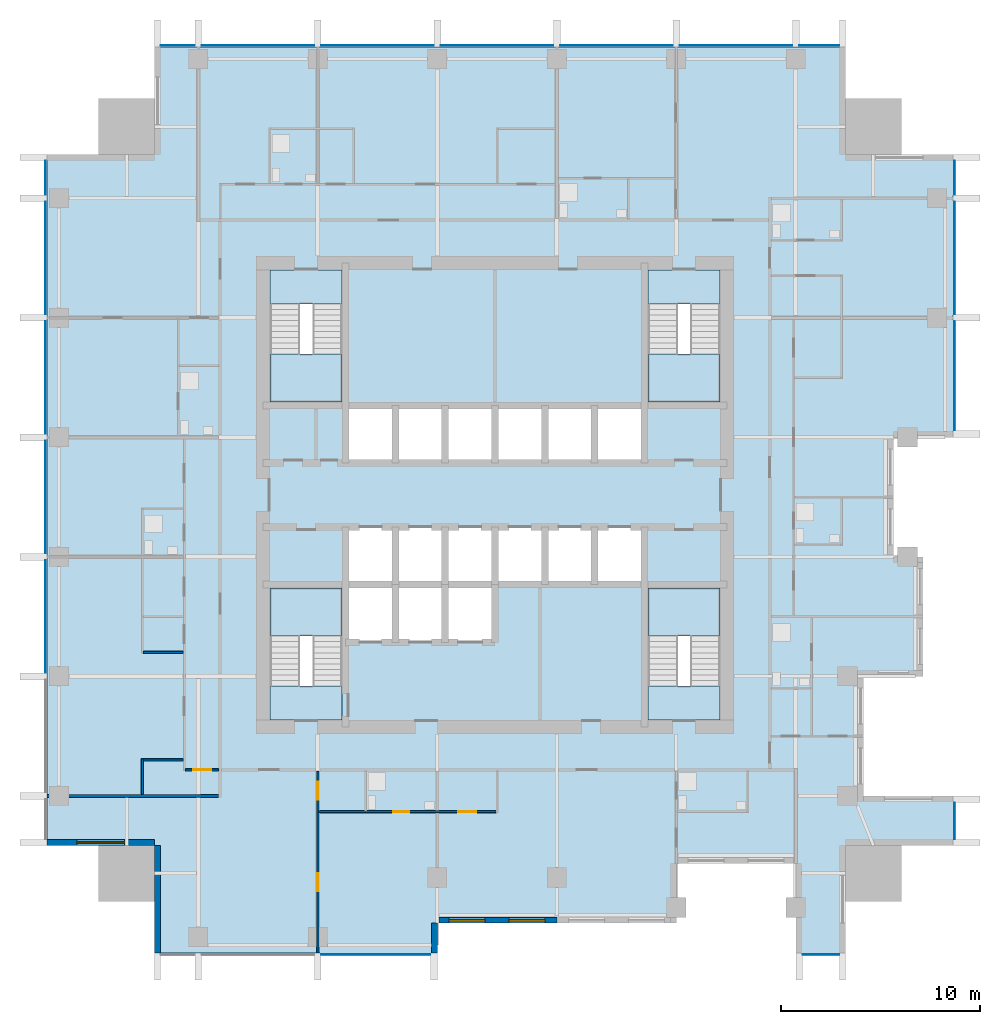
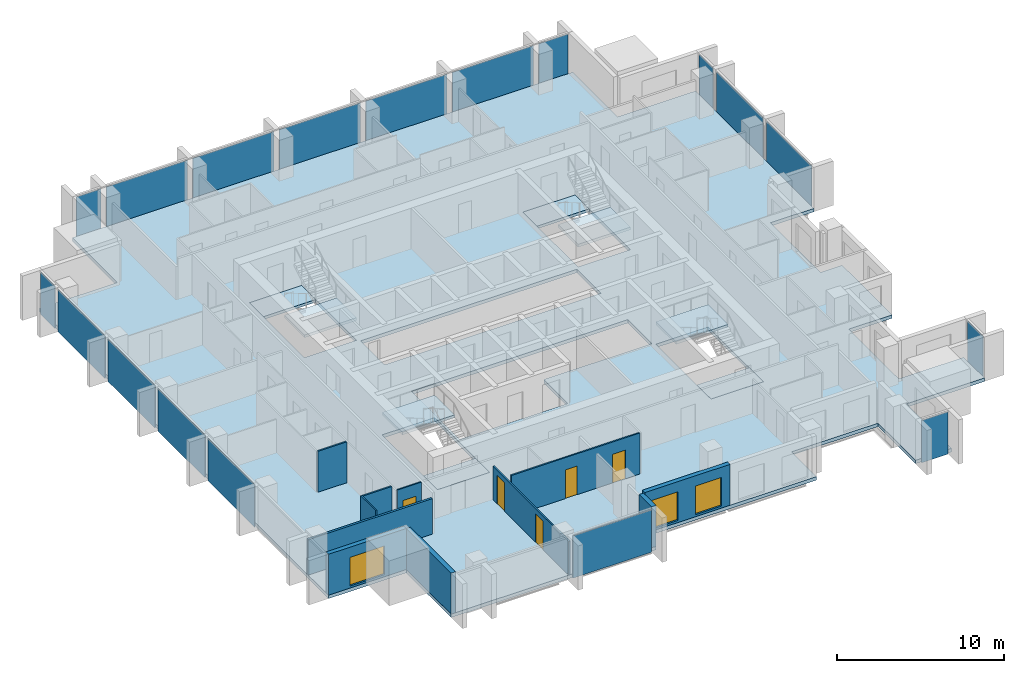
# One storey, part 3 of 10: 18 plates, 11 walls, 9 slabs, 5 doors, 3 windows, 8 openings, 10 elements without a shape of their own.
"""IFC4 building model written with IfcOpenShell, lengths in metres."""

from ifc_helpers import new_model, si_unit, direction, frame, frame_2d, origin, origin_2d, place, context, subcontext, project, spatial, polyline, rectangle, outline, extrude, material, layer, layer_set, type_object, element, fill, aggregate, save


model = new_model("IFC4")

# Units and contexts
model_context = context("Model", 3, precision=1e-05, world=origin(), true_north=direction((0.0, 1.0)))
body_context = subcontext(model_context, "Body", "Model", "MODEL_VIEW")
ifc_project = project(units=[si_unit("LENGTHUNIT", "METRE"), si_unit("AREAUNIT", "SQUARE_METRE"), si_unit("VOLUMEUNIT", "CUBIC_METRE"), si_unit("PLANEANGLEUNIT", "RADIAN"), si_unit("MASSUNIT", "GRAM", prefix="KILO")], contexts=[model_context])

# Site, building, storey
site_placement = place(None, origin())
site = spatial("IfcSite", under=ifc_project, at=site_placement, CompositionType="ELEMENT")
building_placement = place(site_placement, origin())
building = spatial("IfcBuilding", under=site, at=building_placement, Name="Amberfall Residences", CompositionType="ELEMENT")
storey_placement = place(building_placement, frame((0.0, 0.0, 147.10009765625)))
storey = spatial("IfcBuildingStorey", under=building, at=storey_placement, Name="L39", CompositionType="ELEMENT", Elevation=147.10009765625)

# Curtain wall, plate
ifc_material_1 = material(Name="Bronze anodised aluminium and glass", Category="aluminium")
curtain_wall_type = type_object("IfcCurtainWallType", Name="Curtain wall CW1 tower unit", PredefinedType="USERDEFINED", material=ifc_material_1)
curtain_wall_1_placement = place(storey_placement, origin())
curtain_wall_1 = element("IfcCurtainWall", 1, at=curtain_wall_1_placement, inside=storey, type_object=curtain_wall_type, Name="Curtain wall L39 S S1", ObjectType="UNITISED CURTAIN WALL", PredefinedType="USERDEFINED")
ifc_material_2 = material(Name="Tinted double glazed unit", Category="glass")
ifc_layer_1 = layer(ifc_material_2, 0.035888671875)
ifc_layer_set_1 = layer_set([ifc_layer_1], Name="CW1 panel 36 glazing")
plate_type = type_object("IfcPlateType", Name="CW1 panel 36 glazing", PredefinedType="CURTAIN_PANEL", material=ifc_layer_set_1)
plate_1_placement = place(storey_placement, frame((68.512451171875, 22.425048828125, -0.250244140625), z_axis=(0.0, 0.0, 1.0), x_axis=(1.0, 0.0, 0.0)))
plate_1 = element("IfcPlate", 2, at=plate_1_placement, type_object=plate_type, Name="CW1 panel 3.1", PredefinedType="CURTAIN_PANEL", context=body_context, shape_type="SweptSolid", body=[
    extrude(rectangle(XDim=5.450927734375, YDim=0.035888671875, at=origin_2d()), origin(), (0.0, 0.0, 1.0), 3.10009765625),
])
aggregate(curtain_wall_1, [plate_1])

curtain_wall_2_placement = place(storey_placement, origin())
curtain_wall_2 = element("IfcCurtainWall", 3, at=curtain_wall_2_placement, inside=storey, type_object=curtain_wall_type, Name="Curtain wall L39 S S8", ObjectType="UNITISED CURTAIN WALL", PredefinedType="USERDEFINED")
plate_2_placement = place(storey_placement, frame((90.875, 22.425048828125, -0.250244140625), z_axis=(0.0, 0.0, 1.0), x_axis=(1.0, 0.0, 0.0)))
plate_2 = element("IfcPlate", 4, at=plate_2_placement, type_object=plate_type, Name="CW1 panel 1.1", PredefinedType="CURTAIN_PANEL", context=body_context, shape_type="SweptSolid", body=[
    extrude(rectangle(XDim=1.825927734375, YDim=0.035888671875, at=origin_2d()), origin(), (0.0, 0.0, 1.0), 3.10009765625),
])
aggregate(curtain_wall_2, [plate_2])

curtain_wall_3_placement = place(storey_placement, origin())
curtain_wall_3 = element("IfcCurtainWall", 5, at=curtain_wall_3_placement, inside=storey, type_object=curtain_wall_type, Name="Curtain wall L39 E E1", ObjectType="UNITISED CURTAIN WALL", PredefinedType="USERDEFINED")
plate_3_placement = place(storey_placement, frame((97.574951171875, 29.125, -0.250244140625), z_axis=(0.0, 0.0, 1.0), x_axis=(0.0, 1.0, 0.0)))
plate_3 = element("IfcPlate", 6, at=plate_3_placement, type_object=plate_type, Name="CW1 panel 1.1", PredefinedType="CURTAIN_PANEL", context=body_context, shape_type="SweptSolid", body=[
    extrude(rectangle(XDim=1.825927734375, YDim=0.035888671875, at=origin_2d()), origin(), (0.0, 0.0, 1.0), 3.10009765625),
])
aggregate(curtain_wall_3, [plate_3])

# Curtain wall, plates
curtain_wall_4_placement = place(storey_placement, origin())
curtain_wall_4 = element("IfcCurtainWall", 7, at=curtain_wall_4_placement, inside=storey, type_object=curtain_wall_type, Name="Curtain wall L39 E E9", ObjectType="UNITISED CURTAIN WALL", PredefinedType="USERDEFINED")
plate_4_placement = place(storey_placement, frame((97.574951171875, 51.487548828125, -0.250244140625), z_axis=(0.0, 0.0, 1.0), x_axis=(0.0, 1.0, 0.0)))
plate_4 = element("IfcPlate", 8, at=plate_4_placement, type_object=plate_type, Name="CW1 panel 1.1", PredefinedType="CURTAIN_PANEL", context=body_context, shape_type="SweptSolid", body=[
    extrude(rectangle(XDim=5.450927734375, YDim=0.035888671875, at=origin_2d()), origin(), (0.0, 0.0, 1.0), 3.10009765625),
])
plate_5_placement = place(storey_placement, frame((97.574951171875, 57.39990234375, -0.250244140625), z_axis=(0.0, 0.0, 1.0), x_axis=(0.0, 1.0, 0.0)))
plate_5 = element("IfcPlate", 9, at=plate_5_placement, type_object=plate_type, Name="CW1 panel 2.1", PredefinedType="CURTAIN_PANEL", context=body_context, shape_type="SweptSolid", body=[
    extrude(rectangle(XDim=5.6259765625, YDim=0.035888671875, at=origin_2d()), origin(), (0.0, 0.0, 1.0), 3.10009765625),
])
plate_6_placement = place(storey_placement, frame((97.574951171875, 61.4375, -0.250244140625), z_axis=(0.0, 0.0, 1.0), x_axis=(0.0, 1.0, 0.0)))
plate_6 = element("IfcPlate", 10, at=plate_6_placement, type_object=plate_type, Name="CW1 panel 3.1", PredefinedType="CURTAIN_PANEL", context=body_context, shape_type="SweptSolid", body=[
    extrude(rectangle(XDim=1.700927734375, YDim=0.035888671875, at=origin_2d()), origin(), (0.0, 0.0, 1.0), 3.10009765625),
])
aggregate(curtain_wall_4, [plate_4, plate_5, plate_6])

curtain_wall_5_placement = place(storey_placement, origin())
curtain_wall_5 = element("IfcCurtainWall", 11, at=curtain_wall_5_placement, inside=storey, type_object=curtain_wall_type, Name="Curtain wall L39 N N1", ObjectType="UNITISED CURTAIN WALL", PredefinedType="USERDEFINED")
plate_7_placement = place(storey_placement, frame((90.78759765625, 68.074951171875, -0.250244140625), z_axis=(0.0, 0.0, 1.0), x_axis=(-1.0, 0.0, 0.0)))
plate_7 = element("IfcPlate", 12, at=plate_7_placement, type_object=plate_type, Name="CW1 panel 1.1", PredefinedType="CURTAIN_PANEL", context=body_context, shape_type="SweptSolid", body=[
    extrude(rectangle(XDim=2.0009765625, YDim=0.035888671875, at=origin_2d()), origin(), (0.0, 0.0, 1.0), 3.10009765625),
])
plate_8_placement = place(storey_placement, frame((86.60009765625, 68.074951171875, -0.250244140625), z_axis=(0.0, 0.0, 1.0), x_axis=(-1.0, 0.0, 0.0)))
plate_8 = element("IfcPlate", 13, at=plate_8_placement, type_object=plate_type, Name="CW1 panel 2.1", PredefinedType="CURTAIN_PANEL", context=body_context, shape_type="SweptSolid", body=[
    extrude(rectangle(XDim=5.6259765625, YDim=0.035888671875, at=origin_2d()), origin(), (0.0, 0.0, 1.0), 3.10009765625),
])
plate_9_placement = place(storey_placement, frame((80.60009765625, 68.074951171875, -0.250244140625), z_axis=(0.0, 0.0, 1.0), x_axis=(-1.0, 0.0, 0.0)))
plate_9 = element("IfcPlate", 14, at=plate_9_placement, type_object=plate_type, Name="CW1 panel 3.1", PredefinedType="CURTAIN_PANEL", context=body_context, shape_type="SweptSolid", body=[
    extrude(rectangle(XDim=5.6259765625, YDim=0.035888671875, at=origin_2d()), origin(), (0.0, 0.0, 1.0), 3.10009765625),
])
plate_10_placement = place(storey_placement, frame((74.60009765625, 68.074951171875, -0.250244140625), z_axis=(0.0, 0.0, 1.0), x_axis=(-1.0, 0.0, 0.0)))
plate_10 = element("IfcPlate", 15, at=plate_10_placement, type_object=plate_type, Name="CW1 panel 4.1", PredefinedType="CURTAIN_PANEL", context=body_context, shape_type="SweptSolid", body=[
    extrude(rectangle(XDim=5.6259765625, YDim=0.035888671875, at=origin_2d()), origin(), (0.0, 0.0, 1.0), 3.10009765625),
])
plate_11_placement = place(storey_placement, frame((68.60009765625, 68.074951171875, -0.250244140625), z_axis=(0.0, 0.0, 1.0), x_axis=(-1.0, 0.0, 0.0)))
plate_11 = element("IfcPlate", 16, at=plate_11_placement, type_object=plate_type, Name="CW1 panel 5.1", PredefinedType="CURTAIN_PANEL", context=body_context, shape_type="SweptSolid", body=[
    extrude(rectangle(XDim=5.6259765625, YDim=0.035888671875, at=origin_2d()), origin(), (0.0, 0.0, 1.0), 3.10009765625),
])
plate_12_placement = place(storey_placement, frame((62.60009765625, 68.074951171875, -0.250244140625), z_axis=(0.0, 0.0, 1.0), x_axis=(-1.0, 0.0, 0.0)))
plate_12 = element("IfcPlate", 17, at=plate_12_placement, type_object=plate_type, Name="CW1 panel 6.1", PredefinedType="CURTAIN_PANEL", context=body_context, shape_type="SweptSolid", body=[
    extrude(rectangle(XDim=5.6259765625, YDim=0.035888671875, at=origin_2d()), origin(), (0.0, 0.0, 1.0), 3.10009765625),
])
plate_13_placement = place(storey_placement, frame((58.5625, 68.074951171875, -0.250244140625), z_axis=(0.0, 0.0, 1.0), x_axis=(-1.0, 0.0, 0.0)))
plate_13 = element("IfcPlate", 18, at=plate_13_placement, type_object=plate_type, Name="CW1 panel 7.1", PredefinedType="CURTAIN_PANEL", context=body_context, shape_type="SweptSolid", body=[
    extrude(rectangle(XDim=1.700927734375, YDim=0.035888671875, at=origin_2d()), origin(), (0.0, 0.0, 1.0), 3.10009765625),
])
aggregate(curtain_wall_5, [plate_7, plate_8, plate_9, plate_10, plate_11, plate_12, plate_13])

curtain_wall_6_placement = place(storey_placement, origin())
curtain_wall_6 = element("IfcCurtainWall", 19, at=curtain_wall_6_placement, inside=storey, type_object=curtain_wall_type, Name="Curtain wall L39 W W1", ObjectType="UNITISED CURTAIN WALL", PredefinedType="USERDEFINED")
plate_14_placement = place(storey_placement, frame((51.925048828125, 61.4375, -0.250244140625), z_axis=(0.0, 0.0, 1.0), x_axis=(0.0, -1.0, 0.0)))
plate_14 = element("IfcPlate", 20, at=plate_14_placement, type_object=plate_type, Name="CW1 panel 1.1", PredefinedType="CURTAIN_PANEL", context=body_context, shape_type="SweptSolid", body=[
    extrude(rectangle(XDim=1.700927734375, YDim=0.035888671875, at=origin_2d()), origin(), (0.0, 0.0, 1.0), 3.10009765625),
])
plate_15_placement = place(storey_placement, frame((51.925048828125, 57.39990234375, -0.250244140625), z_axis=(0.0, 0.0, 1.0), x_axis=(0.0, -1.0, 0.0)))
plate_15 = element("IfcPlate", 21, at=plate_15_placement, type_object=plate_type, Name="CW1 panel 2.1", PredefinedType="CURTAIN_PANEL", context=body_context, shape_type="SweptSolid", body=[
    extrude(rectangle(XDim=5.6259765625, YDim=0.035888671875, at=origin_2d()), origin(), (0.0, 0.0, 1.0), 3.10009765625),
])
plate_16_placement = place(storey_placement, frame((51.925048828125, 51.39990234375, -0.250244140625), z_axis=(0.0, 0.0, 1.0), x_axis=(0.0, -1.0, 0.0)))
plate_16 = element("IfcPlate", 22, at=plate_16_placement, type_object=plate_type, Name="CW1 panel 3.1", PredefinedType="CURTAIN_PANEL", context=body_context, shape_type="SweptSolid", body=[
    extrude(rectangle(XDim=5.6259765625, YDim=0.035888671875, at=origin_2d()), origin(), (0.0, 0.0, 1.0), 3.10009765625),
])
plate_17_placement = place(storey_placement, frame((51.925048828125, 45.39990234375, -0.250244140625), z_axis=(0.0, 0.0, 1.0), x_axis=(0.0, -1.0, 0.0)))
plate_17 = element("IfcPlate", 23, at=plate_17_placement, type_object=plate_type, Name="CW1 panel 4.1", PredefinedType="CURTAIN_PANEL", context=body_context, shape_type="SweptSolid", body=[
    extrude(rectangle(XDim=5.6259765625, YDim=0.035888671875, at=origin_2d()), origin(), (0.0, 0.0, 1.0), 3.10009765625),
])
plate_18_placement = place(storey_placement, frame((51.925048828125, 39.39990234375, -0.250244140625), z_axis=(0.0, 0.0, 1.0), x_axis=(0.0, -1.0, 0.0)))
plate_18 = element("IfcPlate", 24, at=plate_18_placement, type_object=plate_type, Name="CW1 panel 5.1", PredefinedType="CURTAIN_PANEL", context=body_context, shape_type="SweptSolid", body=[
    extrude(rectangle(XDim=5.6259765625, YDim=0.035888671875, at=origin_2d()), origin(), (0.0, 0.0, 1.0), 3.10009765625),
])
aggregate(curtain_wall_6, [plate_14, plate_15, plate_16, plate_17, plate_18])

# Slab
ifc_material_3 = material(Name="Concrete C60", Category="concrete")
ifc_layer_2 = layer(ifc_material_3, 0.25)
ifc_layer_set_2 = layer_set([ifc_layer_2], Name="Floor slab 250 C60")
slab_type_1 = type_object("IfcSlabType", Name="Floor slab 250 C60", PredefinedType="FLOOR", material=ifc_layer_set_2)
slab_1_placement = place(storey_placement, frame((0.0, 0.0, -0.25)))
element("IfcSlab", 25, at=slab_1_placement, inside=storey, type_object=slab_type_1, Name="Floor slab S10 L39", PredefinedType="FLOOR", context=body_context, shape_type="SweptSolid", body=[
    extrude(outline(polyline([(89.60009765625, 22.5), (89.60009765625, 27.0), (83.60009765625, 27.0), (83.60009765625, 24.0), (77.60009765625, 24.0), (71.60009765625, 24.0), (71.60009765625, 22.5), (57.39990234375, 22.5), (57.39990234375, 27.89990234375), (52.0, 27.89990234375), (52.0, 62.60009765625), (57.39990234375, 62.60009765625), (57.39990234375, 68.0), (92.10009765625, 68.0), (92.10009765625, 62.60009765625), (97.5, 62.60009765625), (97.5, 48.39990234375), (94.5, 48.39990234375), (94.5, 42.39990234375), (96.0, 42.39990234375), (96.0, 36.39990234375), (93.0, 36.39990234375), (93.0, 30.39990234375), (97.5, 30.39990234375), (97.5, 27.89990234375), (92.10009765625, 27.89990234375), (92.10009765625, 22.5), (89.60009765625, 22.5)]), holes=[polyline([(85.800048828125, 34.199951171875), (85.800048828125, 40.824951171875), (82.175048828125, 40.824951171875), (82.175048828125, 34.199951171875), (85.800048828125, 34.199951171875)]), polyline([(82.175048828125, 50.175048828125), (85.800048828125, 50.175048828125), (85.800048828125, 56.800048828125), (82.175048828125, 56.800048828125), (82.175048828125, 50.175048828125)]), polyline([(69.5, 50.0), (67.0, 50.0), (67.0, 47.10009765625), (69.5, 47.10009765625), (72.0, 47.10009765625), (74.5, 47.10009765625), (77.0, 47.10009765625), (79.5, 47.10009765625), (82.0, 47.10009765625), (82.0, 50.0), (79.5, 50.0), (77.0, 50.0), (74.5, 50.0), (72.0, 50.0), (69.5, 50.0)]), polyline([(74.5, 41.0), (77.0, 41.0), (79.5, 41.0), (82.0, 41.0), (82.0, 43.89990234375), (79.5, 43.89990234375), (77.0, 43.89990234375), (74.5, 43.89990234375), (72.0, 43.89990234375), (69.5, 43.89990234375), (67.0, 43.89990234375), (67.0, 41.0), (67.0, 38.10009765625), (69.5, 38.10009765625), (72.0, 38.10009765625), (74.5, 38.10009765625), (74.5, 41.0)]), polyline([(66.824951171875, 34.199951171875), (66.824951171875, 40.824951171875), (63.199951171875, 40.824951171875), (63.199951171875, 34.199951171875), (66.824951171875, 34.199951171875)]), polyline([(66.824951171875, 50.175048828125), (66.824951171875, 56.800048828125), (63.199951171875, 56.800048828125), (63.199951171875, 50.175048828125), (66.824951171875, 50.175048828125)])]), origin(), (0.0, 0.0, 1.0), 0.25),
])

# Stair, slabs
ifc_material_4 = material(Name="Concrete C40", Category="concrete")
stair_type = type_object("IfcStairType", Name="Exit stair 20 risers 165.0 mm", PredefinedType="HALF_TURN_STAIR", material=ifc_material_4)
stair_1_placement = place(storey_placement, origin())
stair_1 = element("IfcStair", 26, at=stair_1_placement, inside=storey, type_object=stair_type, Name="L39 Exit stair 1", PredefinedType="HALF_TURN_STAIR")
ifc_layer_3 = layer(ifc_material_4, 0.199951171875)
ifc_layer_set_3 = layer_set([ifc_layer_3], Name="Stair landing 200")
slab_type_2 = type_object("IfcSlabType", Name="Stair landing 200", PredefinedType="LANDING", material=ifc_layer_set_3)
slab_2_placement = place(storey_placement, frame((0.0, 0.0, 1.449951171875)))
slab_2 = element("IfcSlab", 27, at=slab_2_placement, type_object=slab_type_2, Name="ST3 landing 1", PredefinedType="LANDING", context=body_context, shape_type="SweptSolid", body=[
    extrude(outline(polyline([(66.824951171875, 38.419921875), (66.824951171875, 40.824951171875), (63.199951171875, 40.824951171875), (63.199951171875, 38.419921875), (66.824951171875, 38.419921875)])), origin(), (0.0, 0.0, 1.0), 0.199951171875),
])
slab_3_placement = place(storey_placement, frame((0.0, 0.0, -0.2001953125)))
slab_3 = element("IfcSlab", 28, at=slab_3_placement, type_object=slab_type_2, Name="ST3 landing 2", PredefinedType="LANDING", context=body_context, shape_type="SweptSolid", body=[
    extrude(outline(polyline([(66.824951171875, 34.199951171875), (66.824951171875, 35.89990234375), (63.199951171875, 35.89990234375), (63.199951171875, 34.199951171875), (66.824951171875, 34.199951171875)])), origin(), (0.0, 0.0, 1.0), 0.2001953125),
])
aggregate(stair_1, [slab_2, slab_3])

stair_2_placement = place(storey_placement, origin())
stair_2 = element("IfcStair", 29, at=stair_2_placement, inside=storey, type_object=stair_type, Name="L39 Exit stair 2", PredefinedType="HALF_TURN_STAIR")
slab_4_placement = place(storey_placement, frame((0.0, 0.0, 1.449951171875)))
slab_4 = element("IfcSlab", 30, at=slab_4_placement, type_object=slab_type_2, Name="ST3 landing 1", PredefinedType="LANDING", context=body_context, shape_type="SweptSolid", body=[
    extrude(outline(polyline([(85.800048828125, 38.419921875), (85.800048828125, 40.824951171875), (82.175048828125, 40.824951171875), (82.175048828125, 38.419921875), (85.800048828125, 38.419921875)])), origin(), (0.0, 0.0, 1.0), 0.199951171875),
])
slab_5_placement = place(storey_placement, frame((0.0, 0.0, -0.2001953125)))
slab_5 = element("IfcSlab", 31, at=slab_5_placement, type_object=slab_type_2, Name="ST3 landing 2", PredefinedType="LANDING", context=body_context, shape_type="SweptSolid", body=[
    extrude(outline(polyline([(85.800048828125, 34.199951171875), (85.800048828125, 35.89990234375), (82.175048828125, 35.89990234375), (82.175048828125, 34.199951171875), (85.800048828125, 34.199951171875)])), origin(), (0.0, 0.0, 1.0), 0.2001953125),
])
aggregate(stair_2, [slab_4, slab_5])

stair_3_placement = place(storey_placement, origin())
stair_3 = element("IfcStair", 32, at=stair_3_placement, inside=storey, type_object=stair_type, Name="L39 Exit stair 3", PredefinedType="HALF_TURN_STAIR")
slab_6_placement = place(storey_placement, frame((0.0, 0.0, 1.449951171875)))
slab_6 = element("IfcSlab", 33, at=slab_6_placement, type_object=slab_type_2, Name="ST3 landing 1", PredefinedType="LANDING", context=body_context, shape_type="SweptSolid", body=[
    extrude(outline(polyline([(82.175048828125, 52.580078125), (82.175048828125, 50.175048828125), (85.800048828125, 50.175048828125), (85.800048828125, 52.580078125), (82.175048828125, 52.580078125)])), origin(), (0.0, 0.0, 1.0), 0.199951171875),
])
slab_7_placement = place(storey_placement, frame((0.0, 0.0, -0.2001953125)))
slab_7 = element("IfcSlab", 34, at=slab_7_placement, type_object=slab_type_2, Name="ST3 landing 2", PredefinedType="LANDING", context=body_context, shape_type="SweptSolid", body=[
    extrude(outline(polyline([(82.175048828125, 56.800048828125), (82.175048828125, 55.10009765625), (85.800048828125, 55.10009765625), (85.800048828125, 56.800048828125), (82.175048828125, 56.800048828125)])), origin(), (0.0, 0.0, 1.0), 0.2001953125),
])
aggregate(stair_3, [slab_6, slab_7])

stair_4_placement = place(storey_placement, origin())
stair_4 = element("IfcStair", 35, at=stair_4_placement, inside=storey, type_object=stair_type, Name="L39 Exit stair 4", PredefinedType="HALF_TURN_STAIR")
slab_8_placement = place(storey_placement, frame((0.0, 0.0, 1.449951171875)))
slab_8 = element("IfcSlab", 36, at=slab_8_placement, type_object=slab_type_2, Name="ST3 landing 1", PredefinedType="LANDING", context=body_context, shape_type="SweptSolid", body=[
    extrude(outline(polyline([(63.199951171875, 52.580078125), (63.199951171875, 50.175048828125), (66.824951171875, 50.175048828125), (66.824951171875, 52.580078125), (63.199951171875, 52.580078125)])), origin(), (0.0, 0.0, 1.0), 0.199951171875),
])
slab_9_placement = place(storey_placement, frame((0.0, 0.0, -0.2001953125)))
slab_9 = element("IfcSlab", 37, at=slab_9_placement, type_object=slab_type_2, Name="ST3 landing 2", PredefinedType="LANDING", context=body_context, shape_type="SweptSolid", body=[
    extrude(outline(polyline([(63.199951171875, 56.800048828125), (63.199951171875, 55.10009765625), (66.824951171875, 55.10009765625), (66.824951171875, 56.800048828125), (63.199951171875, 56.800048828125)])), origin(), (0.0, 0.0, 1.0), 0.2001953125),
])
aggregate(stair_4, [slab_8, slab_9])

# Wall
ifc_material_5 = material(Name="Pale stone cladding on insulated backing", Category="masonry")
ifc_layer_4 = layer(ifc_material_5, 0.300048828125)
ifc_layer_set_4 = layer_set([ifc_layer_4], Name="Bronze clad wall 300")
wall_type_1 = type_object("IfcWallType", Name="Bronze clad wall 300", PredefinedType="SOLIDWALL", material=ifc_layer_set_4)
wall_1_placement = place(storey_placement, frame((71.449951171875, 22.5, 0.0), z_axis=(0.0, 0.0, 1.0), x_axis=(0.0, 1.0, 0.0)))
element("IfcWall", 38, at=wall_1_placement, inside=storey, type_object=wall_type_1, Name="External wall L39 S", PredefinedType="SOLIDWALL", context=body_context, shape_type="SweptSolid", body=[
    extrude(rectangle(XDim=1.5, YDim=0.300048828125, at=frame_2d((0.75, 0.0))), origin(), (0.0, 0.0, 1.0), 3.0),
])

# Wall, opening, window
wall_2_placement = place(storey_placement, frame((52.0, 28.050048828125, 0.0), z_axis=(0.0, 0.0, 1.0), x_axis=(1.0, 0.0, 0.0)))
wall_2 = element("IfcWall", 39, at=wall_2_placement, inside=storey, type_object=wall_type_1, Name="External wall L39 SW", PredefinedType="SOLIDWALL", context=body_context, shape_type="SweptSolid", body=[
    extrude(rectangle(XDim=5.39990234375, YDim=0.300048828125, at=frame_2d((2.699951171875, 0.0))), origin(), (0.0, 0.0, 1.0), 3.0),
])
opening_1_placement = place(wall_2_placement, frame((1.5, 0.0, 0.14990234375)))
opening_1 = element("IfcOpeningElement", 40, at=opening_1_placement, cuts=wall_2, Name="Opening WN5", PredefinedType="OPENING", context=body_context, shape_type="SweptSolid", body=[
    extrude(rectangle(XDim=2.39990234375, YDim=2.10009765625, at=frame_2d((1.199951171875, 1.050048828125))), frame((0.0, 0.159912109375, 0.0), z_axis=(0.0, -1.0, 0.0), x_axis=(1.0, 0.0, 0.0)), (0.0, 0.0, 1.0), 0.320068359375),
])
ifc_material_6 = material(Name="Bronze aluminium framed glazing", Category="aluminium")
window_type_1 = type_object("IfcWindowType", Name="Glazed opening 2400 x 2100 bronze", PartitioningType="DOUBLE_PANEL_VERTICAL", PredefinedType="WINDOW", material=ifc_material_6)
window_1_placement = place(opening_1_placement, origin())
window_1 = element("IfcWindow", 41, at=window_1_placement, inside=storey, type_object=window_type_1, Name="Window L39 SW", OverallHeight=2.10009765625, OverallWidth=2.39990234375, PartitioningType="DOUBLE_PANEL_VERTICAL", PredefinedType="WINDOW", context=body_context, shape_type="SweptSolid", body=[
    extrude(rectangle(XDim=2.39990234375, YDim=2.10009765625, at=frame_2d((1.199951171875, 1.050048828125))), frame((0.0, 0.030029296875, 0.0), z_axis=(0.0, -1.0, 0.0), x_axis=(1.0, 0.0, 0.0)), (0.0, 0.0, 1.0), 0.06005859375),
])
fill(opening_1, window_1)

# Wall
wall_3_placement = place(storey_placement, frame((57.550048828125, 27.89990234375, 0.0), z_axis=(0.0, 0.0, 1.0), x_axis=(0.0, -1.0, 0.0)))
element("IfcWall", 42, at=wall_3_placement, inside=storey, type_object=wall_type_1, Name="External wall L39 SW", PredefinedType="SOLIDWALL", context=body_context, shape_type="SweptSolid", body=[
    extrude(rectangle(XDim=5.39990234375, YDim=0.300048828125, at=frame_2d((2.699951171875, 0.0))), origin(), (0.0, 0.0, 1.0), 3.0),
])

# Wall, openings, windows
wall_4_placement = place(storey_placement, frame((71.68994140625, 24.14990234375, 0.0), z_axis=(0.0, 0.0, 1.0), x_axis=(1.0, 0.0, 0.0)))
wall_4 = element("IfcWall", 43, at=wall_4_placement, inside=storey, type_object=wall_type_1, Name="Stone wall L39 S", PredefinedType="SOLIDWALL", context=body_context, shape_type="SweptSolid", body=[
    extrude(rectangle(XDim=5.91015625, YDim=0.300048828125, at=frame_2d((2.955078125, 0.0))), origin(), (0.0, 0.0, 1.0), 3.0),
])
opening_2_placement = place(wall_4_placement, frame((0.510009765625, 0.0, 0.14990234375)))
opening_2 = element("IfcOpeningElement", 44, at=opening_2_placement, cuts=wall_4, Name="Opening WN6", PredefinedType="OPENING", context=body_context, shape_type="SweptSolid", body=[
    extrude(rectangle(XDim=1.800048828125, YDim=2.10009765625, at=frame_2d((0.89990234375, 1.050048828125))), frame((0.0, 0.159912109375, 0.0), z_axis=(0.0, -1.0, 0.0), x_axis=(1.0, 0.0, 0.0)), (0.0, 0.0, 1.0), 0.320068359375),
])
opening_3_placement = place(wall_4_placement, frame((3.510009765625, 0.0, 0.14990234375)))
opening_3 = element("IfcOpeningElement", 45, at=opening_3_placement, cuts=wall_4, Name="Opening WN6", PredefinedType="OPENING", context=body_context, shape_type="SweptSolid", body=[
    extrude(rectangle(XDim=1.800048828125, YDim=2.10009765625, at=frame_2d((0.89990234375, 1.050048828125))), frame((0.0, 0.159912109375, 0.0), z_axis=(0.0, -1.0, 0.0), x_axis=(1.0, 0.0, 0.0)), (0.0, 0.0, 1.0), 0.320068359375),
])
window_type_2 = type_object("IfcWindowType", Name="Glazed opening 1800 x 2100 bronze", PartitioningType="DOUBLE_PANEL_VERTICAL", PredefinedType="WINDOW", material=ifc_material_6)
window_2_placement = place(opening_2_placement, origin())
window_2 = element("IfcWindow", 46, at=window_2_placement, inside=storey, type_object=window_type_2, Name="Window L39 S", OverallHeight=2.10009765625, OverallWidth=1.800048828125, PartitioningType="DOUBLE_PANEL_VERTICAL", PredefinedType="WINDOW", context=body_context, shape_type="SweptSolid", body=[
    extrude(rectangle(XDim=1.800048828125, YDim=2.10009765625, at=frame_2d((0.89990234375, 1.050048828125))), frame((0.0, 0.030029296875, 0.0), z_axis=(0.0, -1.0, 0.0), x_axis=(1.0, 0.0, 0.0)), (0.0, 0.0, 1.0), 0.06005859375),
])
fill(opening_2, window_2)
window_3_placement = place(opening_3_placement, origin())
window_3 = element("IfcWindow", 47, at=window_3_placement, inside=storey, type_object=window_type_2, Name="Window L39 S", OverallHeight=2.10009765625, OverallWidth=1.800048828125, PartitioningType="DOUBLE_PANEL_VERTICAL", PredefinedType="WINDOW", context=body_context, shape_type="SweptSolid", body=[
    extrude(rectangle(XDim=1.800048828125, YDim=2.10009765625, at=frame_2d((0.89990234375, 1.050048828125))), frame((0.0, 0.030029296875, 0.0), z_axis=(0.0, -1.0, 0.0), x_axis=(1.0, 0.0, 0.0)), (0.0, 0.0, 1.0), 0.06005859375),
])
fill(opening_3, window_3)

# Wall
ifc_material_7 = material(Name="Gypsum board on metal stud")
ifc_layer_5 = layer(ifc_material_7, 0.10009765625)
ifc_layer_set_5 = layer_set([ifc_layer_5], Name="Flat partition 100")
wall_type_2 = type_object("IfcWallType", Name="Flat partition 100", PredefinedType="PARTITIONING", material=ifc_layer_set_5)
wall_5_placement = place(storey_placement, frame((56.800048828125, 30.47509765625, 0.0), z_axis=(0.0, 0.0, 1.0), x_axis=(0.0, 1.0, 0.0)))
element("IfcWall", 48, at=wall_5_placement, inside=storey, type_object=wall_type_2, Name="Partition 001", PredefinedType="PARTITIONING", context=body_context, shape_type="SweptSolid", body=[
    extrude(rectangle(XDim=1.77490234375, YDim=0.10009765625, at=frame_2d((0.887451171875, 0.0))), origin(), (0.0, 0.0, 1.0), 3.0),
])

# Wall, openings, doors
wall_6_placement = place(storey_placement, frame((65.60009765625, 31.625, 0.0), z_axis=(0.0, 0.0, 1.0), x_axis=(0.0, -1.0, 0.0)))
wall_6 = element("IfcWall", 49, at=wall_6_placement, inside=storey, type_object=wall_type_2, Name="Partition 007", PredefinedType="PARTITIONING", context=body_context, shape_type="SweptSolid", body=[
    extrude(rectangle(XDim=9.125, YDim=0.10009765625, at=frame_2d((4.5625, 0.0))), origin(), (0.0, 0.0, 1.0), 2.4658203125),
])
opening_4_placement = place(wall_6_placement, frame((0.52490234375, 0.0, 0.0)))
opening_4 = element("IfcOpeningElement", 50, at=opening_4_placement, cuts=wall_6, Name="Opening D41", PredefinedType="OPENING", context=body_context, shape_type="SweptSolid", body=[
    extrude(rectangle(XDim=0.89990234375, YDim=2.10009765625, at=frame_2d((0.449951171875, 1.050048828125))), frame((0.0, 0.06005859375, 0.0), z_axis=(0.0, -1.0, 0.0), x_axis=(1.0, 0.0, 0.0)), (0.0, 0.0, 1.0), 0.1201171875),
])
opening_5_placement = place(wall_6_placement, frame((5.125, 0.0, 0.0)))
opening_5 = element("IfcOpeningElement", 51, at=opening_5_placement, cuts=wall_6, Name="Opening D41", PredefinedType="OPENING", context=body_context, shape_type="SweptSolid", body=[
    extrude(rectangle(XDim=0.89990234375, YDim=2.10009765625, at=frame_2d((0.449951171875, 1.050048828125))), frame((0.0, 0.06005859375, 0.0), z_axis=(0.0, -1.0, 0.0), x_axis=(1.0, 0.0, 0.0)), (0.0, 0.0, 1.0), 0.1201171875),
])
ifc_material_8 = material(Name="Timber", Category="wood")
door_type_1 = type_object("IfcDoorType", Name="Internal door 900 x 2100", OperationType="SINGLE_SWING_LEFT", PredefinedType="DOOR", material=ifc_material_8)
door_1_placement = place(opening_4_placement, origin())
door_1 = element("IfcDoor", 52, at=door_1_placement, inside=storey, type_object=door_type_1, Name="Door 3901 kitchen", OperationType="SINGLE_SWING_LEFT", OverallHeight=2.10009765625, OverallWidth=0.89990234375, PredefinedType="DOOR", context=body_context, shape_type="SweptSolid", body=[
    extrude(rectangle(XDim=0.89990234375, YDim=2.10009765625, at=frame_2d((0.449951171875, 1.050048828125))), frame((0.0, 0.02490234375, 0.0), z_axis=(0.0, -1.0, 0.0), x_axis=(1.0, 0.0, 0.0)), (0.0, 0.0, 1.0), 0.050048828125),
])
fill(opening_4, door_1)
door_2_placement = place(opening_5_placement, origin())
door_2 = element("IfcDoor", 53, at=door_2_placement, inside=storey, type_object=door_type_1, Name="Door 3901 bedroom1", OperationType="SINGLE_SWING_LEFT", OverallHeight=2.10009765625, OverallWidth=0.89990234375, PredefinedType="DOOR", context=body_context, shape_type="SweptSolid", body=[
    extrude(rectangle(XDim=0.89990234375, YDim=2.10009765625, at=frame_2d((0.449951171875, 1.050048828125))), frame((0.0, 0.02490234375, 0.0), z_axis=(0.0, -1.0, 0.0), x_axis=(1.0, 0.0, 0.0)), (0.0, 0.0, 1.0), 0.050048828125),
])
fill(opening_5, door_2)

# Walls
for number, where, z_axis, x_axis, name in (
    (54, (56.85009765625, 37.60009765625, 0.0), (0.0, 0.0, 1.0), (1.0, 0.0, 0.0), "Partition 036"),
    (55, (56.85009765625, 32.199951171875, 0.0), (0.0, 0.0, 1.0), (1.0, 0.0, 0.0), "Partition 039"),
):
    element("IfcWall", number, at=place(storey_placement, frame(where, z_axis=z_axis, x_axis=x_axis)), inside=storey, type_object=wall_type_2, Name=name, PredefinedType="PARTITIONING", context=body_context, shape_type="SweptSolid", body=[
        extrude(rectangle(XDim=2.0, YDim=0.10009765625, at=frame_2d((1.0, 0.0))), origin(), (0.0, 0.0, 1.0), 3.0),
    ])

# Wall, opening, door
wall_7_placement = place(storey_placement, frame((60.625, 31.699951171875, 0.0), z_axis=(0.0, 0.0, 1.0), x_axis=(-1.0, 0.0, 0.0)))
wall_7 = element("IfcWall", 56, at=wall_7_placement, inside=storey, type_object=wall_type_2, Name="Partition 040", PredefinedType="PARTITIONING", context=body_context, shape_type="SweptSolid", body=[
    extrude(rectangle(XDim=1.675048828125, YDim=0.10009765625, at=frame_2d((0.83740234375, 0.0))), origin(), (0.0, 0.0, 1.0), 3.0),
])
opening_6_placement = place(wall_7_placement, frame((0.375, 0.0, 0.0)))
opening_6 = element("IfcOpeningElement", 57, at=opening_6_placement, cuts=wall_7, Name="Opening D41", PredefinedType="OPENING", context=body_context, shape_type="SweptSolid", body=[
    extrude(rectangle(XDim=0.89990234375, YDim=2.10009765625, at=frame_2d((0.449951171875, 1.050048828125))), frame((0.0, 0.06005859375, 0.0), z_axis=(0.0, -1.0, 0.0), x_axis=(1.0, 0.0, 0.0)), (0.0, 0.0, 1.0), 0.1201171875),
])
door_3_placement = place(opening_6_placement, origin())
door_3 = element("IfcDoor", 58, at=door_3_placement, inside=storey, type_object=door_type_1, Name="Door 3908 store", OperationType="SINGLE_SWING_LEFT", OverallHeight=2.10009765625, OverallWidth=0.89990234375, PredefinedType="DOOR", context=body_context, shape_type="SweptSolid", body=[
    extrude(rectangle(XDim=0.89990234375, YDim=2.10009765625, at=frame_2d((0.449951171875, 1.050048828125))), frame((0.0, 0.02490234375, 0.0), z_axis=(0.0, -1.0, 0.0), x_axis=(1.0, 0.0, 0.0)), (0.0, 0.0, 1.0), 0.050048828125),
])
fill(opening_6, door_3)

# Wall, openings, doors
wall_8_placement = place(storey_placement, frame((65.64990234375, 29.60009765625, 0.0), z_axis=(0.0, 0.0, 1.0), x_axis=(1.0, 0.0, 0.0)))
wall_8 = element("IfcWall", 59, at=wall_8_placement, inside=storey, type_object=wall_type_2, Name="Partition 041", PredefinedType="PARTITIONING", context=body_context, shape_type="SweptSolid", body=[
    extrude(rectangle(XDim=8.900146484375, YDim=0.10009765625, at=frame_2d((4.4501953125, 0.0))), origin(), (0.0, 0.0, 1.0), 3.0),
])
opening_7_placement = place(wall_8_placement, frame((3.75, 0.0, 0.0)))
opening_7 = element("IfcOpeningElement", 60, at=opening_7_placement, cuts=wall_8, Name="Opening D42", PredefinedType="OPENING", context=body_context, shape_type="SweptSolid", body=[
    extrude(rectangle(XDim=0.800048828125, YDim=2.10009765625, at=frame_2d((0.39990234375, 1.050048828125))), frame((0.0, 0.06005859375, 0.0), z_axis=(0.0, -1.0, 0.0), x_axis=(1.0, 0.0, 0.0)), (0.0, 0.0, 1.0), 0.1201171875),
])
opening_8_placement = place(wall_8_placement, frame((7.0, 0.0, 0.0)))
opening_8 = element("IfcOpeningElement", 61, at=opening_8_placement, cuts=wall_8, Name="Opening D41", PredefinedType="OPENING", context=body_context, shape_type="SweptSolid", body=[
    extrude(rectangle(XDim=0.89990234375, YDim=2.10009765625, at=frame_2d((0.449951171875, 1.050048828125))), frame((0.0, 0.06005859375, 0.0), z_axis=(0.0, -1.0, 0.0), x_axis=(1.0, 0.0, 0.0)), (0.0, 0.0, 1.0), 0.1201171875),
])
door_type_2 = type_object("IfcDoorType", Name="Bathroom door 800 x 2100", OperationType="SINGLE_SWING_LEFT", PredefinedType="DOOR", material=ifc_material_8)
door_4_placement = place(opening_7_placement, origin())
door_4 = element("IfcDoor", 62, at=door_4_placement, inside=storey, type_object=door_type_2, Name="Door 3901 bath1", OperationType="SINGLE_SWING_LEFT", OverallHeight=2.10009765625, OverallWidth=0.800048828125, PredefinedType="DOOR", context=body_context, shape_type="SweptSolid", body=[
    extrude(rectangle(XDim=0.800048828125, YDim=2.10009765625, at=frame_2d((0.39990234375, 1.050048828125))), frame((0.0, 0.02490234375, 0.0), z_axis=(0.0, -1.0, 0.0), x_axis=(1.0, 0.0, 0.0)), (0.0, 0.0, 1.0), 0.050048828125),
])
fill(opening_7, door_4)
door_5_placement = place(opening_8_placement, origin())
door_5 = element("IfcDoor", 63, at=door_5_placement, inside=storey, type_object=door_type_1, Name="Door 3902 kitchen", OperationType="SINGLE_SWING_LEFT", OverallHeight=2.10009765625, OverallWidth=0.89990234375, PredefinedType="DOOR", context=body_context, shape_type="SweptSolid", body=[
    extrude(rectangle(XDim=0.89990234375, YDim=2.10009765625, at=frame_2d((0.449951171875, 1.050048828125))), frame((0.0, 0.02490234375, 0.0), z_axis=(0.0, -1.0, 0.0), x_axis=(1.0, 0.0, 0.0)), (0.0, 0.0, 1.0), 0.050048828125),
])
fill(opening_8, door_5)

# Wall
ifc_material_9 = material(Name="Blockwork, plastered", Category="masonry")
ifc_layer_6 = layer(ifc_material_9, 0.14990234375)
ifc_layer_set_6 = layer_set([ifc_layer_6], Name="Flat separating wall 150")
wall_type_3 = type_object("IfcWallType", Name="Flat separating wall 150", PredefinedType="PARTITIONING", material=ifc_layer_set_6)
wall_9_placement = place(storey_placement, frame((52.0, 30.39990234375, 0.0), z_axis=(0.0, 0.0, 1.0), x_axis=(1.0, 0.0, 0.0)))
element("IfcWall", 64, at=wall_9_placement, inside=storey, type_object=wall_type_3, Name="Separating wall 055", PredefinedType="PARTITIONING", context=body_context, shape_type="SweptSolid", body=[
    extrude(rectangle(XDim=8.625, YDim=0.14990234375, at=frame_2d((4.3125, 0.0))), origin(), (0.0, 0.0, 1.0), 2.596923828125),
])

save(model, "model.ifc")
